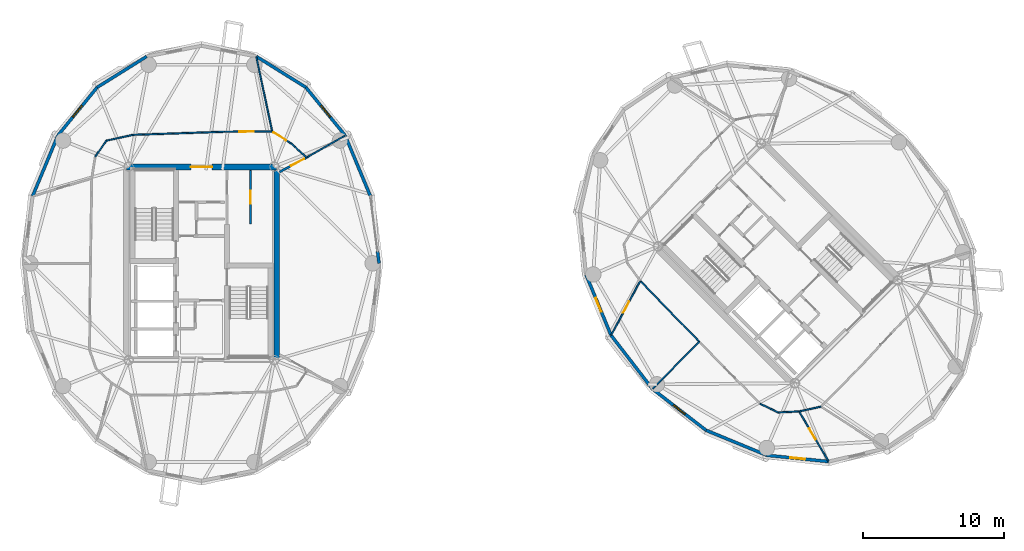
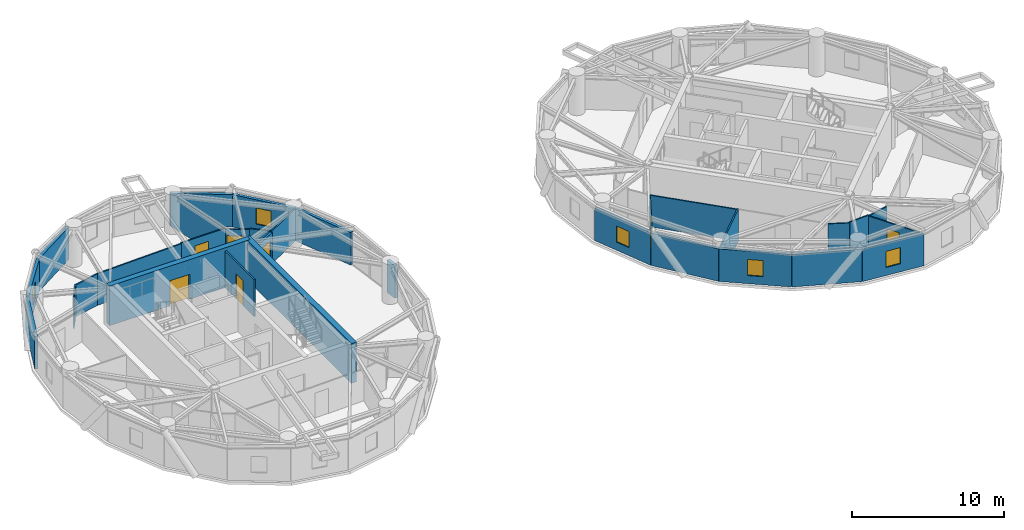
# One storey, part 10 of 15: 31 walls, 7 doors, 5 windows, 12 openings.
"""IFC4 building model written with IfcOpenShell, lengths in metres."""

from ifc_helpers import new_model, si_unit, direction, frame, frame_2d, origin, place, context, subcontext, project, spatial, rectangle, extrude, source, transform, mapped, material, layer, layer_set, type_object, element, fill, save


model = new_model("IFC4")

# Units and contexts
model_context = context("Model", 3, precision=1e-05, world=origin(), true_north=direction((0.0, 1.0)))
body_context = subcontext(model_context, "Body", "Model", "MODEL_VIEW")
ifc_project = project(units=[si_unit("LENGTHUNIT", "METRE"), si_unit("AREAUNIT", "SQUARE_METRE"), si_unit("VOLUMEUNIT", "CUBIC_METRE"), si_unit("PLANEANGLEUNIT", "RADIAN"), si_unit("MASSUNIT", "GRAM", prefix="KILO")], contexts=[model_context])

# Site, building, storey
site_placement = place(None, origin())
site = spatial("IfcSite", under=ifc_project, at=site_placement, CompositionType="ELEMENT")
building_placement = place(site_placement, origin())
building = spatial("IfcBuilding", under=site, at=building_placement, Name="Cununo Teusaquillo Station Towers", CompositionType="ELEMENT")
storey_placement = place(building_placement, frame((0.0, 0.0, 229.25)))
storey = spatial("IfcBuildingStorey", under=building, at=storey_placement, Name="L73", CompositionType="ELEMENT", Elevation=229.25)

# Wall
ifc_material_1 = material(Name="Concrete C50/60", Category="concrete")
ifc_layer_1 = layer(ifc_material_1, 0.39990234375)
ifc_layer_set_1 = layer_set([ifc_layer_1], Name="Concrete C50/60")
wall_type_1 = type_object("IfcWallType", Name="WL-CORE-400", PredefinedType="SHEAR", material=ifc_layer_set_1)
wall_1_placement = place(storey_placement, frame((21.85009765625, 17.449951171875, 0.0), z_axis=(0.0, 0.0, 1.0), x_axis=(0.0, 1.0, 0.0)))
element("IfcWall", 1, at=wall_1_placement, inside=storey, type_object=wall_type_1, Name="L73 Tower A Core Shear Wall E", PredefinedType="SHEAR", context=body_context, shape_type="SweptSolid", body=[
    extrude(rectangle(XDim=14.10009765625, YDim=0.39990234375, at=frame_2d((7.050048828125, 0.0))), origin(), (0.0, 0.0, 1.0), 3.199951171875),
])

# Wall, opening, door
wall_2_placement = place(storey_placement, frame((11.14990234375, 31.35009765625, 0.0), z_axis=(0.0, 0.0, 1.0), x_axis=(1.0, 0.0, 0.0)))
wall_2 = element("IfcWall", 2, at=wall_2_placement, inside=storey, type_object=wall_type_1, Name="L73 Tower A Core Shear Wall N", PredefinedType="SHEAR", context=body_context, shape_type="SweptSolid", body=[
    extrude(rectangle(XDim=10.7001953125, YDim=0.39990234375, at=frame_2d((5.35009765625, 0.0))), origin(), (0.0, 0.0, 1.0), 3.199951171875),
])
shared_shape_1 = source(origin(), body_context, "Body", "SweptSolid", [
    extrude(rectangle(XDim=1.5, YDim=2.02001953125, at=frame_2d((0.75, 1.010009765625))), frame((0.0, 0.2099609375, 0.0), z_axis=(0.0, -1.0, 0.0), x_axis=(1.0, 0.0, 0.0)), (0.0, 0.0, 1.0), 0.419921875),
])
opening_1_placement = place(wall_2_placement, frame((4.60009765625, 0.0, 0.0)))
opening_1 = element("IfcOpeningElement", 3, at=opening_1_placement, cuts=wall_2, Name="Opening D-LB1", PredefinedType="OPENING", context=body_context, shape_type="MappedRepresentation", body=[
    mapped(shared_shape_1, transform((0.0, 0.0, 0.0), x_axis=(1.0, 0.0, 0.0), y_axis=(0.0, 1.0, 0.0), z_axis=(0.0, 0.0, 1.0), scale=1.0)),
])
ifc_material_2 = material(Name="Galvanised fire-rated hollow steel door assembly", Category="steel")
door_type_1 = type_object("IfcDoorType", Name="DR-LOBBY-1500", OperationType="DOUBLE_DOOR_SINGLE_SWING", PredefinedType="DOOR", material=ifc_material_2)
shared_shape_2 = source(origin(), body_context, "Body", "SweptSolid", [
    extrude(rectangle(XDim=1.5, YDim=2.02001953125, at=frame_2d((0.75, 1.010009765625))), frame((0.0, 0.02490234375, 0.0), z_axis=(0.0, -1.0, 0.0), x_axis=(1.0, 0.0, 0.0)), (0.0, 0.0, 1.0), 0.050048828125),
])
door_1_placement = place(opening_1_placement, origin())
door_1 = element("IfcDoor", 4, at=door_1_placement, inside=storey, type_object=door_type_1, Name="L73 Tower A North Core Lift Lobby Door", OperationType="DOUBLE_DOOR_SINGLE_SWING", OverallHeight=2.02001953125, OverallWidth=1.5, PredefinedType="DOOR", context=body_context, shape_type="MappedRepresentation", body=[
    mapped(shared_shape_2, transform((0.0, 0.0, 0.0), x_axis=(1.0, 0.0, 0.0), y_axis=(0.0, 1.0, 0.0), z_axis=(0.0, 0.0, 1.0), scale=1.0)),
])
fill(opening_1, door_1)

# Walls
ifc_material_3 = material(Name="Precast concrete C40/50", Category="concrete")
ifc_layer_2 = layer(ifc_material_3, 0.219970703125)
ifc_layer_set_2 = layer_set([ifc_layer_2], Name="Precast concrete C40/50")
wall_type_2 = type_object("IfcWallType", Name="WL-EXT-220", PredefinedType="SOLIDWALL", material=ifc_layer_set_2)
wall_3_placement = place(storey_placement, frame((29.018310546875, 25.36279296875, 0.0), z_axis=(0.0, 0.0, 1.0), x_axis=(0.128247365719, -0.991742211054, 0.0)))
element("IfcWall", 5, at=wall_3_placement, inside=storey, type_object=wall_type_2, Name="L73 Tower A Column Pier Cladding Wall C00-PB", PredefinedType="SOLIDWALL", context=body_context, shape_type="SweptSolid", body=[
    extrude(rectangle(XDim=0.869873046875, YDim=0.219970703125, at=frame_2d((0.43505859375, 0.0))), origin(), (0.0, 0.0, 1.0), 2.612060546875),
])
wall_4_placement = place(storey_placement, frame((26.718017578125, 33.593017578125, 0.0), z_axis=(0.0, 0.0, 1.0), x_axis=(0.384036305194, -0.923317993052, 0.0)))
element("IfcWall", 6, at=wall_4_placement, inside=storey, type_object=wall_type_2, Name="L73 Tower A Exterior Facade Wall C01", PredefinedType="SOLIDWALL", context=body_context, shape_type="SweptSolid", body=[
    extrude(rectangle(XDim=4.670654296875, YDim=0.219970703125, at=frame_2d((2.33544921875, 0.0))), origin(), (0.0, 0.0, 1.0), 2.612060546875),
])

# Wall, opening, window
wall_5_placement = place(storey_placement, frame((23.923583984375, 37.015380859375, 0.0), z_axis=(0.0, 0.0, 1.0), x_axis=(0.632467166636, -0.774587169483, 0.0)))
wall_5 = element("IfcWall", 7, at=wall_5_placement, inside=storey, type_object=wall_type_2, Name="L73 Tower A Exterior Facade Wall C02", PredefinedType="SOLIDWALL", context=body_context, shape_type="SweptSolid", body=[
    extrude(rectangle(XDim=4.418212890625, YDim=0.219970703125, at=frame_2d((2.208984375, 0.0))), origin(), (0.0, 0.0, 1.0), 2.612060546875),
])
shared_shape_3 = source(origin(), body_context, "Body", "SweptSolid", [
    extrude(rectangle(XDim=1.050048828125, YDim=1.300048828125, at=frame_2d((0.52490234375, 0.64990234375))), frame((0.0, 0.119873046875, 0.0), z_axis=(0.0, -1.0, 0.0), x_axis=(1.0, 0.0, 0.0)), (0.0, 0.0, 1.0), 0.239990234375),
])
opening_2_placement = place(wall_5_placement, frame((1.68408203125, 0.0, 0.64990234375)))
opening_2 = element("IfcOpeningElement", 8, at=opening_2_placement, cuts=wall_5, Name="Opening WN-04", PredefinedType="OPENING", context=body_context, shape_type="MappedRepresentation", body=[
    mapped(shared_shape_3, transform((0.0, 0.0, 0.0), x_axis=(1.0, 0.0, 0.0), y_axis=(0.0, 1.0, 0.0), z_axis=(0.0, 0.0, 1.0), scale=1.0)),
])
ifc_material_4 = material(Name="Operable acoustic tinted low-E double glazing", Category="glass")
window_type = type_object("IfcWindowType", Name="WIN-BAL-1050", PartitioningType="SINGLE_PANEL", PredefinedType="WINDOW", material=ifc_material_4)
shared_shape_4 = source(origin(), body_context, "Body", "SweptSolid", [
    extrude(rectangle(XDim=1.050048828125, YDim=1.300048828125, at=frame_2d((0.52490234375, 0.64990234375))), frame((0.0, 0.030029296875, 0.0), z_axis=(0.0, -1.0, 0.0), x_axis=(1.0, 0.0, 0.0)), (0.0, 0.0, 1.0), 0.06005859375),
])
window_1_placement = place(opening_2_placement, origin())
window_1 = element("IfcWindow", 9, at=window_1_placement, inside=storey, type_object=window_type, Name="L73 Tower A Facade Window C02", OverallHeight=1.300048828125, OverallWidth=1.050048828125, PartitioningType="SINGLE_PANEL", PredefinedType="WINDOW", context=body_context, shape_type="MappedRepresentation", body=[
    mapped(shared_shape_4, transform((0.0, 0.0, 0.0), x_axis=(1.0, 0.0, 0.0), y_axis=(0.0, 1.0, 0.0), z_axis=(0.0, 0.0, 1.0), scale=1.0)),
])
fill(opening_2, window_1)

# Walls
for number, where, z_axis, x_axis, name in (
    (10, (20.40283203125, 39.212890625, 0.0), (0.0, 0.0, 1.0), (0.848318713376, -0.529485939886, 0.0), "L73 Tower A Exterior Facade Wall C03"),
    (11, (9.076416015625, 37.015380859375, 0.0), (0.0, 0.0, 1.0), (0.848318713376, 0.529485939886, 0.0), "L73 Tower A Exterior Facade Wall C06"),
):
    element("IfcWall", number, at=place(storey_placement, frame(where, z_axis=z_axis, x_axis=x_axis)), inside=storey, type_object=wall_type_2, Name=name, PredefinedType="SOLIDWALL", context=body_context, shape_type="SweptSolid", body=[
        extrude(rectangle(XDim=4.150390625, YDim=0.219970703125, at=frame_2d((2.0751953125, 0.0))), origin(), (0.0, 0.0, 1.0), 2.612060546875),
    ])

# Wall, opening, window
wall_6_placement = place(storey_placement, frame((6.281982421875, 33.593017578125, 0.0), z_axis=(0.0, 0.0, 1.0), x_axis=(0.632467166636, 0.774587169483, 0.0)))
wall_6 = element("IfcWall", 12, at=wall_6_placement, inside=storey, type_object=wall_type_2, Name="L73 Tower A Exterior Facade Wall C07", PredefinedType="SOLIDWALL", context=body_context, shape_type="SweptSolid", body=[
    extrude(rectangle(XDim=4.418212890625, YDim=0.219970703125, at=frame_2d((2.208984375, 0.0))), origin(), (0.0, 0.0, 1.0), 2.612060546875),
])
opening_3_placement = place(wall_6_placement, frame((1.68408203125, 0.0, 0.64990234375)))
opening_3 = element("IfcOpeningElement", 13, at=opening_3_placement, cuts=wall_6, Name="Opening WN-04", PredefinedType="OPENING", context=body_context, shape_type="MappedRepresentation", body=[
    mapped(shared_shape_3, transform((0.0, 0.0, 0.0), x_axis=(1.0, 0.0, 0.0), y_axis=(0.0, 1.0, 0.0), z_axis=(0.0, 0.0, 1.0), scale=1.0)),
])
window_2_placement = place(opening_3_placement, origin())
window_2 = element("IfcWindow", 14, at=window_2_placement, inside=storey, type_object=window_type, Name="L73 Tower A Facade Window C07", OverallHeight=1.300048828125, OverallWidth=1.050048828125, PartitioningType="SINGLE_PANEL", PredefinedType="WINDOW", context=body_context, shape_type="MappedRepresentation", body=[
    mapped(shared_shape_4, transform((0.0, 0.0, 0.0), x_axis=(1.0, 0.0, 0.0), y_axis=(0.0, 1.0, 0.0), z_axis=(0.0, 0.0, 1.0), scale=1.0)),
])
fill(opening_3, window_2)

# Wall
wall_7_placement = place(storey_placement, frame((4.48828125, 29.280517578125, 0.0), z_axis=(0.0, 0.0, 1.0), x_axis=(0.384036305194, 0.923317993052, 0.0)))
element("IfcWall", 15, at=wall_7_placement, inside=storey, type_object=wall_type_2, Name="L73 Tower A Exterior Facade Wall C08", PredefinedType="SOLIDWALL", context=body_context, shape_type="SweptSolid", body=[
    extrude(rectangle(XDim=4.670654296875, YDim=0.219970703125, at=frame_2d((2.33544921875, 0.0))), origin(), (0.0, 0.0, 1.0), 2.612060546875),
])

# Wall, opening, window
wall_8_placement = place(storey_placement, frame((45.626220703125, 19.38671875, 0.0), z_axis=(0.0, 0.0, 1.0), x_axis=(-0.381309704956, 0.924447353237, 0.0)))
wall_8 = element("IfcWall", 16, at=wall_8_placement, inside=storey, type_object=wall_type_2, Name="L73 Tower B Exterior Facade Wall C08", PredefinedType="SOLIDWALL", context=body_context, shape_type="SweptSolid", body=[
    extrude(rectangle(XDim=4.670654296875, YDim=0.219970703125, at=frame_2d((2.33544921875, 0.0))), origin(), (0.0, 0.0, 1.0), 2.612060546875),
])
opening_4_placement = place(wall_8_placement, frame((1.81005859375, 0.0, 0.64990234375)))
opening_4 = element("IfcOpeningElement", 17, at=opening_4_placement, cuts=wall_8, Name="Opening WN-04", PredefinedType="OPENING", context=body_context, shape_type="MappedRepresentation", body=[
    mapped(shared_shape_3, transform((0.0, 0.0, 0.0), x_axis=(1.0, 0.0, 0.0), y_axis=(0.0, 1.0, 0.0), z_axis=(0.0, 0.0, 1.0), scale=1.0)),
])
window_3_placement = place(opening_4_placement, origin())
window_3 = element("IfcWindow", 18, at=window_3_placement, inside=storey, type_object=window_type, Name="L73 Tower B Facade Window C08", OverallHeight=1.300048828125, OverallWidth=1.050048828125, PartitioningType="SINGLE_PANEL", PredefinedType="WINDOW", context=body_context, shape_type="MappedRepresentation", body=[
    mapped(shared_shape_4, transform((0.0, 0.0, 0.0), x_axis=(1.0, 0.0, 0.0), y_axis=(0.0, 1.0, 0.0), z_axis=(0.0, 0.0, 1.0), scale=1.0)),
])
fill(opening_4, window_3)

# Wall
wall_9_placement = place(storey_placement, frame((48.569091796875, 15.569091796875, 0.0), z_axis=(0.0, 0.0, 1.0), x_axis=(-0.610523083886, 0.791998462147, 0.0)))
element("IfcWall", 19, at=wall_9_placement, inside=storey, type_object=wall_type_2, Name="L73 Tower B Exterior Facade Wall C09", PredefinedType="SOLIDWALL", context=body_context, shape_type="SweptSolid", body=[
    extrude(rectangle(XDim=4.8203125, YDim=0.219970703125, at=frame_2d((2.41015625, 0.0))), origin(), (0.0, 0.0, 1.0), 2.612060546875),
])

# Wall, opening, window
wall_10_placement = place(storey_placement, frame((52.38671875, 12.626220703125, 0.0), z_axis=(0.0, 0.0, 1.0), x_axis=(-0.791998462147, 0.610523083886, 0.0)))
wall_10 = element("IfcWall", 20, at=wall_10_placement, inside=storey, type_object=wall_type_2, Name="L73 Tower B Exterior Facade Wall C10", PredefinedType="SOLIDWALL", context=body_context, shape_type="SweptSolid", body=[
    extrude(rectangle(XDim=4.8203125, YDim=0.219970703125, at=frame_2d((2.41015625, 0.0))), origin(), (0.0, 0.0, 1.0), 2.612060546875),
])
opening_5_placement = place(wall_10_placement, frame((1.885009765625, 0.0, 0.64990234375)))
opening_5 = element("IfcOpeningElement", 21, at=opening_5_placement, cuts=wall_10, Name="Opening WN-04", PredefinedType="OPENING", context=body_context, shape_type="MappedRepresentation", body=[
    mapped(shared_shape_3, transform((0.0, 0.0, 0.0), x_axis=(1.0, 0.0, 0.0), y_axis=(0.0, 1.0, 0.0), z_axis=(0.0, 0.0, 1.0), scale=1.0)),
])
window_4_placement = place(opening_5_placement, origin())
window_4 = element("IfcWindow", 22, at=window_4_placement, inside=storey, type_object=window_type, Name="L73 Tower B Facade Window C10", OverallHeight=1.300048828125, OverallWidth=1.050048828125, PartitioningType="SINGLE_PANEL", PredefinedType="WINDOW", context=body_context, shape_type="MappedRepresentation", body=[
    mapped(shared_shape_4, transform((0.0, 0.0, 0.0), x_axis=(1.0, 0.0, 0.0), y_axis=(0.0, 1.0, 0.0), z_axis=(0.0, 0.0, 1.0), scale=1.0)),
])
fill(opening_5, window_4)

# Wall
wall_11_placement = place(storey_placement, frame((56.70458984375, 10.84521484375, 0.0), z_axis=(0.0, 0.0, 1.0), x_axis=(-0.924447353237, 0.381309704956, 0.0)))
element("IfcWall", 23, at=wall_11_placement, inside=storey, type_object=wall_type_2, Name="L73 Tower B Exterior Facade Wall C11", PredefinedType="SOLIDWALL", context=body_context, shape_type="SweptSolid", body=[
    extrude(rectangle(XDim=4.670654296875, YDim=0.219970703125, at=frame_2d((2.33544921875, 0.0))), origin(), (0.0, 0.0, 1.0), 2.612060546875),
])

# Wall, opening, window
wall_12_placement = place(storey_placement, frame((61.100341796875, 10.40087890625, 0.0), z_axis=(0.0, 0.0, 1.0), x_axis=(-0.994929930991, 0.100570534541, 0.0)))
wall_12 = element("IfcWall", 24, at=wall_12_placement, inside=storey, type_object=wall_type_2, Name="L73 Tower B Exterior Facade Wall C12", PredefinedType="SOLIDWALL", context=body_context, shape_type="SweptSolid", body=[
    extrude(rectangle(XDim=4.418212890625, YDim=0.219970703125, at=frame_2d((2.208984375, 0.0))), origin(), (0.0, 0.0, 1.0), 2.612060546875),
])
opening_6_placement = place(wall_12_placement, frame((1.68408203125, 0.0, 0.64990234375)))
opening_6 = element("IfcOpeningElement", 25, at=opening_6_placement, cuts=wall_12, Name="Opening WN-04", PredefinedType="OPENING", context=body_context, shape_type="MappedRepresentation", body=[
    mapped(shared_shape_3, transform((0.0, 0.0, 0.0), x_axis=(1.0, 0.0, 0.0), y_axis=(0.0, 1.0, 0.0), z_axis=(0.0, 0.0, 1.0), scale=1.0)),
])
window_5_placement = place(opening_6_placement, origin())
window_5 = element("IfcWindow", 26, at=window_5_placement, inside=storey, type_object=window_type, Name="L73 Tower B Facade Window C12", OverallHeight=1.300048828125, OverallWidth=1.050048828125, PartitioningType="SINGLE_PANEL", PredefinedType="WINDOW", context=body_context, shape_type="MappedRepresentation", body=[
    mapped(shared_shape_4, transform((0.0, 0.0, 0.0), x_axis=(1.0, 0.0, 0.0), y_axis=(0.0, 1.0, 0.0), z_axis=(0.0, 0.0, 1.0), scale=1.0)),
])
fill(opening_6, window_5)

# Wall
ifc_material_5 = material(Name="Fire-rated gypsum plasterboard partition assembly", Category="gypsum")
ifc_layer_3 = layer(ifc_material_5, 0.10009765625)
ifc_layer_set_3 = layer_set([ifc_layer_3], Name="Fire-rated gypsum plasterboard partition assembly")
wall_type_3 = type_object("IfcWallType", Name="WL-PART-100", PredefinedType="MOVABLE", material=ifc_layer_set_3)
wall_13_placement = place(storey_placement, frame((23.979736328125, 32.02685546875, 0.0), z_axis=(0.0, 0.0, 1.0), x_axis=(-0.742353224332, 0.670008724065, 0.0)))
element("IfcWall", 27, at=wall_13_placement, inside=storey, type_object=wall_type_3, Name="L73 Tower A Corridor Ring Wall C02", PredefinedType="MOVABLE", context=body_context, shape_type="SweptSolid", body=[
    extrude(rectangle(XDim=1.48486328125, YDim=0.10009765625, at=frame_2d((0.742431640625, 0.0))), origin(), (0.0, 0.0, 1.0), 2.612060546875),
])

# Wall, opening, door
wall_14_placement = place(storey_placement, frame((22.87744140625, 33.021728515625, 0.0), z_axis=(0.0, 0.0, 1.0), x_axis=(-0.845895608855, 0.533348496689, 0.0)))
wall_14 = element("IfcWall", 28, at=wall_14_placement, inside=storey, type_object=wall_type_3, Name="L73 Tower A Corridor Ring Wall C03", PredefinedType="MOVABLE", context=body_context, shape_type="SweptSolid", body=[
    extrude(rectangle(XDim=1.5966796875, YDim=0.10009765625, at=frame_2d((0.79833984375, 0.0))), origin(), (0.0, 0.0, 1.0), 2.544921875),
])
shared_shape_5 = source(origin(), body_context, "Body", "SweptSolid", [
    extrude(rectangle(XDim=1.050048828125, YDim=2.014892578125, at=frame_2d((0.52490234375, 1.00732421875))), frame((0.0, 0.06005859375, 0.0), z_axis=(0.0, -1.0, 0.0), x_axis=(1.0, 0.0, 0.0)), (0.0, 0.0, 1.0), 0.1201171875),
])
opening_7_placement = place(wall_14_placement, frame((0.4267578125, 0.0, 0.0)))
opening_7 = element("IfcOpeningElement", 29, at=opening_7_placement, cuts=wall_14, Name="Opening D-SU1", PredefinedType="OPENING", context=body_context, shape_type="MappedRepresentation", body=[
    mapped(shared_shape_5, transform((0.0, 0.0, 0.0), x_axis=(1.0, 0.0, 0.0), y_axis=(0.0, 1.0, 0.0), z_axis=(0.0, 0.0, 1.0), scale=1.0)),
])
ifc_material_6 = material(Name="Acoustic solid-core hardwood leaf assembly", Category="wood")
door_type_2 = type_object("IfcDoorType", Name="DR-SUITE-1050", OperationType="NOTDEFINED", PredefinedType="DOOR", material=ifc_material_6)
shared_shape_6 = source(origin(), body_context, "Body", "SweptSolid", [
    extrude(rectangle(XDim=1.050048828125, YDim=2.014892578125, at=frame_2d((0.52490234375, 1.00732421875))), frame((0.0, 0.02490234375, 0.0), z_axis=(0.0, -1.0, 0.0), x_axis=(1.0, 0.0, 0.0)), (0.0, 0.0, 1.0), 0.050048828125),
])
door_2_placement = place(opening_7_placement, origin())
door_2 = element("IfcDoor", 30, at=door_2_placement, inside=storey, type_object=door_type_2, Name="L73 Tower A Observatory Ticket & Audio Desk Entrance Door", OperationType="SINGLE_SWING_LEFT", OverallHeight=2.014892578125, OverallWidth=1.050048828125, PredefinedType="DOOR", context=body_context, shape_type="MappedRepresentation", body=[
    mapped(shared_shape_6, transform((0.0, 0.0, 0.0), x_axis=(1.0, 0.0, 0.0), y_axis=(0.0, 1.0, 0.0), z_axis=(0.0, 0.0, 1.0), scale=1.0)),
])
fill(opening_7, door_2)

wall_15_placement = place(storey_placement, frame((21.52685546875, 33.873291015625, 0.0), z_axis=(0.0, 0.0, 1.0), x_axis=(-0.999991838845, -0.004040079574, 0.0)))
wall_15 = element("IfcWall", 31, at=wall_15_placement, inside=storey, type_object=wall_type_3, Name="L73 Tower A Corridor Ring Wall C04", PredefinedType="MOVABLE", context=body_context, shape_type="SweptSolid", body=[
    extrude(rectangle(XDim=3.384033203125, YDim=0.10009765625, at=frame_2d((1.69189453125, 0.0))), origin(), (0.0, 0.0, 1.0), 2.612060546875),
])
opening_8_placement = place(wall_15_placement, frame((1.2978515625, 0.0, 0.0)))
opening_8 = element("IfcOpeningElement", 32, at=opening_8_placement, cuts=wall_15, Name="Opening D-SU1", PredefinedType="OPENING", context=body_context, shape_type="MappedRepresentation", body=[
    mapped(shared_shape_5, transform((0.0, 0.0, 0.0), x_axis=(1.0, 0.0, 0.0), y_axis=(0.0, 1.0, 0.0), z_axis=(0.0, 0.0, 1.0), scale=1.0)),
])
door_3_placement = place(opening_8_placement, origin())
door_3 = element("IfcDoor", 33, at=door_3_placement, inside=storey, type_object=door_type_2, Name="L73 Tower A North Bogota Sabana Viewing Gallery Entrance Door", OperationType="SINGLE_SWING_RIGHT", OverallHeight=2.014892578125, OverallWidth=1.050048828125, PredefinedType="DOOR", context=body_context, shape_type="MappedRepresentation", body=[
    mapped(shared_shape_6, transform((0.0, 0.0, 0.0), x_axis=(1.0, 0.0, 0.0), y_axis=(0.0, 1.0, 0.0), z_axis=(0.0, 0.0, 1.0), scale=1.0)),
])
fill(opening_8, door_3)

# Walls
wall_16_placement = place(storey_placement, frame((18.142822265625, 33.859619140625, 0.0), z_axis=(0.0, 0.0, 1.0), x_axis=(-0.999419208319, -0.034077060363, 0.0)))
element("IfcWall", 34, at=wall_16_placement, inside=storey, type_object=wall_type_3, Name="L73 Tower A Corridor Ring Wall C05", PredefinedType="MOVABLE", context=body_context, shape_type="SweptSolid", body=[
    extrude(rectangle(XDim=6.52685546875, YDim=0.10009765625, at=frame_2d((3.263427734375, 0.0))), origin(), (0.0, 0.0, 1.0), 2.544921875),
])
wall_17_placement = place(storey_placement, frame((11.619873046875, 33.63720703125, 0.0), z_axis=(0.0, 0.0, 1.0), x_axis=(-0.97702579435, -0.213121085711, 0.0)))
element("IfcWall", 35, at=wall_17_placement, inside=storey, type_object=wall_type_3, Name="L73 Tower A Corridor Ring Wall C06", PredefinedType="MOVABLE", context=body_context, shape_type="SweptSolid", body=[
    extrude(rectangle(XDim=1.934814453125, YDim=0.10009765625, at=frame_2d((0.96728515625, 0.0))), origin(), (0.0, 0.0, 1.0), 2.544921875),
])
wall_18_placement = place(storey_placement, frame((9.7294921875, 33.224853515625, 0.0), z_axis=(0.0, 0.0, 1.0), x_axis=(-0.567183649484, -0.82359134755, 0.0)))
element("IfcWall", 36, at=wall_18_placement, inside=storey, type_object=wall_type_3, Name="L73 Tower A Corridor Ring Wall C07", PredefinedType="MOVABLE", context=body_context, shape_type="SweptSolid", body=[
    extrude(rectangle(XDim=1.39208984375, YDim=0.10009765625, at=frame_2d((0.696044921875, 0.0))), origin(), (0.0, 0.0, 1.0), 2.612060546875),
])
wall_19_placement = place(storey_placement, frame((23.979736328125, 32.02685546875, 0.0), z_axis=(0.0, 0.0, 1.0), x_axis=(0.868372526378, 0.495912447345, 0.0)))
element("IfcWall", 37, at=wall_19_placement, inside=storey, type_object=wall_type_3, Name="L73 Tower A Radial Suite Partition R01", PredefinedType="MOVABLE", context=body_context, shape_type="SweptSolid", body=[
    extrude(rectangle(XDim=3.134521484375, YDim=0.10009765625, at=frame_2d((1.5673828125, 0.0))), origin(), (0.0, 0.0, 1.0), 2.612060546875),
])
wall_20_placement = place(storey_placement, frame((21.52685546875, 33.873291015625, 0.0), z_axis=(0.0, 0.0, 1.0), x_axis=(-0.207772326864, 0.97817721308, 0.0)))
element("IfcWall", 38, at=wall_20_placement, inside=storey, type_object=wall_type_3, Name="L73 Tower A Radial Suite Partition R02", PredefinedType="MOVABLE", context=body_context, shape_type="SweptSolid", body=[
    extrude(rectangle(XDim=5.439208984375, YDim=0.10009765625, at=frame_2d((2.7197265625, 0.0))), origin(), (0.0, 0.0, 1.0), 2.612060546875),
])
wall_21_placement = place(storey_placement, frame((47.70556640625, 23.253173828125, 0.0), z_axis=(0.0, 0.0, 1.0), x_axis=(0.696179266346, -0.717867974707, 0.0)))
element("IfcWall", 39, at=wall_21_placement, inside=storey, type_object=wall_type_3, Name="L73 Tower B Corridor Ring Wall C09", PredefinedType="MOVABLE", context=body_context, shape_type="SweptSolid", body=[
    extrude(rectangle(XDim=6.044677734375, YDim=0.10009765625, at=frame_2d((3.0224609375, 0.0))), origin(), (0.0, 0.0, 1.0), 2.544921875),
])
wall_22_placement = place(storey_placement, frame((56.227294921875, 14.51318359375, 0.0), z_axis=(0.0, 0.0, 1.0), x_axis=(0.901477579283, -0.432825801044, 0.0)))
element("IfcWall", 40, at=wall_22_placement, inside=storey, type_object=wall_type_3, Name="L73 Tower B Corridor Ring Wall C11", PredefinedType="MOVABLE", context=body_context, shape_type="SweptSolid", body=[
    extrude(rectangle(XDim=1.42431640625, YDim=0.10009765625, at=frame_2d((0.712158203125, 0.0))), origin(), (0.0, 0.0, 1.0), 2.544921875),
])
wall_23_placement = place(storey_placement, frame((57.51123046875, 13.896728515625, 0.0), z_axis=(0.0, 0.0, 1.0), x_axis=(0.999024538494, 0.044158481476, 0.0)))
element("IfcWall", 41, at=wall_23_placement, inside=storey, type_object=wall_type_3, Name="L73 Tower B Corridor Ring Wall C12", PredefinedType="MOVABLE", context=body_context, shape_type="SweptSolid", body=[
    extrude(rectangle(XDim=1.498291015625, YDim=0.10009765625, at=frame_2d((0.7490234375, 0.0))), origin(), (0.0, 0.0, 1.0), 2.612060546875),
])
wall_24_placement = place(storey_placement, frame((59.008056640625, 13.962890625, 0.0), z_axis=(0.0, 0.0, 1.0), x_axis=(0.976020856791, 0.21767702476, 0.0)))
element("IfcWall", 42, at=wall_24_placement, inside=storey, type_object=wall_type_3, Name="L73 Tower B Corridor Ring Wall C13", PredefinedType="MOVABLE", context=body_context, shape_type="SweptSolid", body=[
    extrude(rectangle(XDim=1.592529296875, YDim=0.10009765625, at=frame_2d((0.79638671875, 0.0))), origin(), (0.0, 0.0, 1.0), 2.544921875),
])
wall_25_placement = place(storey_placement, frame((51.913818359375, 18.913818359375, 0.0), z_axis=(0.0, 0.0, 1.0), x_axis=(-0.707106781187, -0.707106781187, 0.0)))
element("IfcWall", 43, at=wall_25_placement, inside=storey, type_object=wall_type_3, Name="L73 Tower B Radial Suite Partition R03", PredefinedType="MOVABLE", context=body_context, shape_type="SweptSolid", body=[
    extrude(rectangle(XDim=4.709716796875, YDim=0.10009765625, at=frame_2d((2.35498046875, 0.0))), origin(), (0.0, 0.0, 1.0), 2.612060546875),
])

# Wall, opening, door
wall_26_placement = place(storey_placement, frame((47.70556640625, 23.253173828125, 0.0), z_axis=(0.0, 0.0, 1.0), x_axis=(-0.471384756618, -0.881927667799, 0.0)))
wall_26 = element("IfcWall", 44, at=wall_26_placement, inside=storey, type_object=wall_type_3, Name="L73 Tower B North Bogota Sabana Viewing Gallery Suite Subdividing Wall", PredefinedType="MOVABLE", context=body_context, shape_type="SweptSolid", body=[
    extrude(rectangle(XDim=4.373779296875, YDim=0.10009765625, at=frame_2d((2.18701171875, 0.0))), origin(), (0.0, 0.0, 1.0), 2.544921875),
])
shared_shape_7 = source(origin(), body_context, "Body", "SweptSolid", [
    extrude(rectangle(XDim=0.89990234375, YDim=2.0048828125, at=frame_2d((0.449951171875, 1.00244140625))), frame((0.0, 0.06005859375, 0.0), z_axis=(0.0, -1.0, 0.0), x_axis=(1.0, 0.0, 0.0)), (0.0, 0.0, 1.0), 0.1201171875),
])
opening_9_placement = place(wall_26_placement, frame((1.673828125, 0.0, 0.0)))
opening_9 = element("IfcOpeningElement", 45, at=opening_9_placement, cuts=wall_26, Name="Opening D-IN1", PredefinedType="OPENING", context=body_context, shape_type="MappedRepresentation", body=[
    mapped(shared_shape_7, transform((0.0, 0.0, 0.0), x_axis=(1.0, 0.0, 0.0), y_axis=(0.0, 1.0, 0.0), z_axis=(0.0, 0.0, 1.0), scale=1.0)),
])
ifc_material_7 = material(Name="Acoustic solid-core hardwood leaf assembly", Category="wood")
door_type_3 = type_object("IfcDoorType", Name="DR-INT-900", OperationType="NOTDEFINED", PredefinedType="DOOR", material=ifc_material_7)
shared_shape_8 = source(origin(), body_context, "Body", "SweptSolid", [
    extrude(rectangle(XDim=0.89990234375, YDim=2.0048828125, at=frame_2d((0.449951171875, 1.00244140625))), frame((0.0, 0.02490234375, 0.0), z_axis=(0.0, -1.0, 0.0), x_axis=(1.0, 0.0, 0.0)), (0.0, 0.0, 1.0), 0.050048828125),
])
door_4_placement = place(opening_9_placement, origin())
door_4 = element("IfcDoor", 46, at=door_4_placement, inside=storey, type_object=door_type_3, Name="L73 Tower B North Bogota Sabana Viewing Gallery Suite Connecting Door", OperationType="SINGLE_SWING_LEFT", OverallHeight=2.0048828125, OverallWidth=0.89990234375, PredefinedType="DOOR", context=body_context, shape_type="MappedRepresentation", body=[
    mapped(shared_shape_8, transform((0.0, 0.0, 0.0), x_axis=(1.0, 0.0, 0.0), y_axis=(0.0, 1.0, 0.0), z_axis=(0.0, 0.0, 1.0), scale=1.0)),
])
fill(opening_9, door_4)

wall_27_placement = place(storey_placement, frame((59.008056640625, 13.962890625, 0.0), z_axis=(0.0, 0.0, 1.0), x_axis=(0.508047134864, -0.86132926849, 0.0)))
wall_27 = element("IfcWall", 47, at=wall_27_placement, inside=storey, type_object=wall_type_3, Name="L73 Tower B Interactive Altitude & Climate Exhibit Suite Subdividing Wall", PredefinedType="MOVABLE", context=body_context, shape_type="SweptSolid", body=[
    extrude(rectangle(XDim=4.112548828125, YDim=0.10009765625, at=frame_2d((2.05615234375, 0.0))), origin(), (0.0, 0.0, 1.0), 2.544921875),
])
opening_10_placement = place(wall_27_placement, frame((1.41259765625, 0.0, 0.0)))
opening_10 = element("IfcOpeningElement", 48, at=opening_10_placement, cuts=wall_27, Name="Opening D-IN1", PredefinedType="OPENING", context=body_context, shape_type="MappedRepresentation", body=[
    mapped(shared_shape_7, transform((0.0, 0.0, 0.0), x_axis=(1.0, 0.0, 0.0), y_axis=(0.0, 1.0, 0.0), z_axis=(0.0, 0.0, 1.0), scale=1.0)),
])
door_5_placement = place(opening_10_placement, origin())
door_5 = element("IfcDoor", 49, at=door_5_placement, inside=storey, type_object=door_type_3, Name="L73 Tower B Interactive Altitude & Climate Exhibit Suite Connecting Door", OperationType="SINGLE_SWING_LEFT", OverallHeight=2.0048828125, OverallWidth=0.89990234375, PredefinedType="DOOR", context=body_context, shape_type="MappedRepresentation", body=[
    mapped(shared_shape_8, transform((0.0, 0.0, 0.0), x_axis=(1.0, 0.0, 0.0), y_axis=(0.0, 1.0, 0.0), z_axis=(0.0, 0.0, 1.0), scale=1.0)),
])
fill(opening_10, door_5)

ifc_material_8 = material(Name="Fire-rated gypsum plasterboard partition assembly", Category="gypsum")
ifc_layer_4 = layer(ifc_material_8, 0.125)
ifc_layer_set_4 = layer_set([ifc_layer_4], Name="Fire-rated gypsum plasterboard partition assembly")
wall_type_4 = type_object("IfcWallType", Name="WL-PART-125", PredefinedType="PARTITIONING", material=ifc_layer_set_4)
wall_28_placement = place(storey_placement, frame((19.97998046875, 27.300048828125, 0.0), z_axis=(0.0, 0.0, 1.0), x_axis=(0.0, 1.0, 0.0)))
wall_28 = element("IfcWall", 50, at=wall_28_placement, inside=storey, type_object=wall_type_4, Name="L73 Tower A Reclaimed Bay Vertical Split Wall", PredefinedType="PARTITIONING", context=body_context, shape_type="SweptSolid", body=[
    extrude(rectangle(XDim=3.820068359375, YDim=0.125, at=frame_2d((1.91015625, 0.0))), origin(), (0.0, 0.0, 1.0), 2.97509765625),
])
shared_shape_9 = source(origin(), body_context, "Body", "SweptSolid", [
    extrude(rectangle(XDim=0.89990234375, YDim=2.0048828125, at=frame_2d((0.449951171875, 1.00244140625))), frame((0.0, 0.072509765625, 0.0), z_axis=(0.0, -1.0, 0.0), x_axis=(1.0, 0.0, 0.0)), (0.0, 0.0, 1.0), 0.14501953125),
])
opening_11_placement = place(wall_28_placement, frame((1.449951171875, 0.0, 0.0)))
opening_11 = element("IfcOpeningElement", 51, at=opening_11_placement, cuts=wall_28, Name="Opening D-IN1", PredefinedType="OPENING", context=body_context, shape_type="MappedRepresentation", body=[
    mapped(shared_shape_9, transform((0.0, 0.0, 0.0), x_axis=(1.0, 0.0, 0.0), y_axis=(0.0, 1.0, 0.0), z_axis=(0.0, 0.0, 1.0), scale=1.0)),
])
door_6_placement = place(opening_11_placement, origin())
door_6 = element("IfcDoor", 52, at=door_6_placement, inside=storey, type_object=door_type_3, Name="L73 Tower A Reclaimed Acoustic Booth Door", OperationType="SINGLE_SWING_RIGHT", OverallHeight=2.0048828125, OverallWidth=0.89990234375, PredefinedType="DOOR", context=body_context, shape_type="MappedRepresentation", body=[
    mapped(shared_shape_8, transform((0.0, 0.0, 0.0), x_axis=(1.0, 0.0, 0.0), y_axis=(0.0, 1.0, 0.0), z_axis=(0.0, 0.0, 1.0), scale=1.0)),
])
fill(opening_11, door_6)

ifc_material_9 = material(Name="Fire-rated gypsum plasterboard partition assembly", Category="gypsum")
ifc_layer_5 = layer(ifc_material_9, 0.159912109375)
ifc_layer_set_5 = layer_set([ifc_layer_5], Name="Fire-rated gypsum plasterboard partition assembly")
wall_type_5 = type_object("IfcWallType", Name="WL-PART-160", PredefinedType="PARTITIONING", material=ifc_layer_set_5)
wall_29_placement = place(storey_placement, frame((22.050048828125, 31.0, 0.0), z_axis=(0.0, 0.0, 1.0), x_axis=(0.882791584709, 0.469764853908, 0.0)))
wall_29 = element("IfcWall", 53, at=wall_29_placement, inside=storey, type_object=wall_type_5, Name="L73 Tower A East Salon Corridor Portal Wall NE", PredefinedType="PARTITIONING", context=body_context, shape_type="SweptSolid", body=[
    extrude(rectangle(XDim=2.185791015625, YDim=0.159912109375, at=frame_2d((1.0927734375, 0.0))), origin(), (0.0, 0.0, 1.0), 2.544921875),
])
shared_shape_10 = source(origin(), body_context, "Body", "SweptSolid", [
    extrude(rectangle(XDim=1.050048828125, YDim=2.014892578125, at=frame_2d((0.52490234375, 1.00732421875))), frame((0.0, 0.08984375, 0.0), z_axis=(0.0, -1.0, 0.0), x_axis=(1.0, 0.0, 0.0)), (0.0, 0.0, 1.0), 0.179931640625),
])
opening_12_placement = place(wall_29_placement, frame((0.93603515625, 0.0, 0.0)))
opening_12 = element("IfcOpeningElement", 54, at=opening_12_placement, cuts=wall_29, Name="Opening D-SU1", PredefinedType="OPENING", context=body_context, shape_type="MappedRepresentation", body=[
    mapped(shared_shape_10, transform((0.0, 0.0, 0.0), x_axis=(1.0, 0.0, 0.0), y_axis=(0.0, 1.0, 0.0), z_axis=(0.0, 0.0, 1.0), scale=1.0)),
])
door_7_placement = place(opening_12_placement, origin())
door_7 = element("IfcDoor", 55, at=door_7_placement, inside=storey, type_object=door_type_2, Name="L73 Tower A East Panorama Sky Salon Door NE", OperationType="SINGLE_SWING_LEFT", OverallHeight=2.014892578125, OverallWidth=1.050048828125, PredefinedType="DOOR", context=body_context, shape_type="MappedRepresentation", body=[
    mapped(shared_shape_6, transform((0.0, 0.0, 0.0), x_axis=(1.0, 0.0, 0.0), y_axis=(0.0, 1.0, 0.0), z_axis=(0.0, 0.0, 1.0), scale=1.0)),
])
fill(opening_12, door_7)

save(model, "model.ifc")
